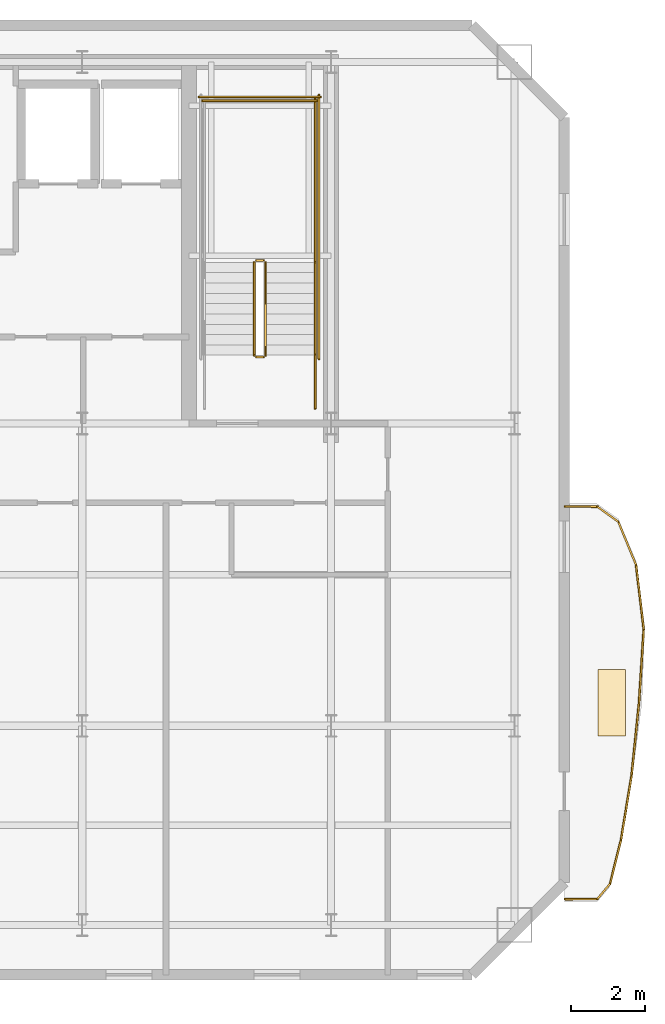
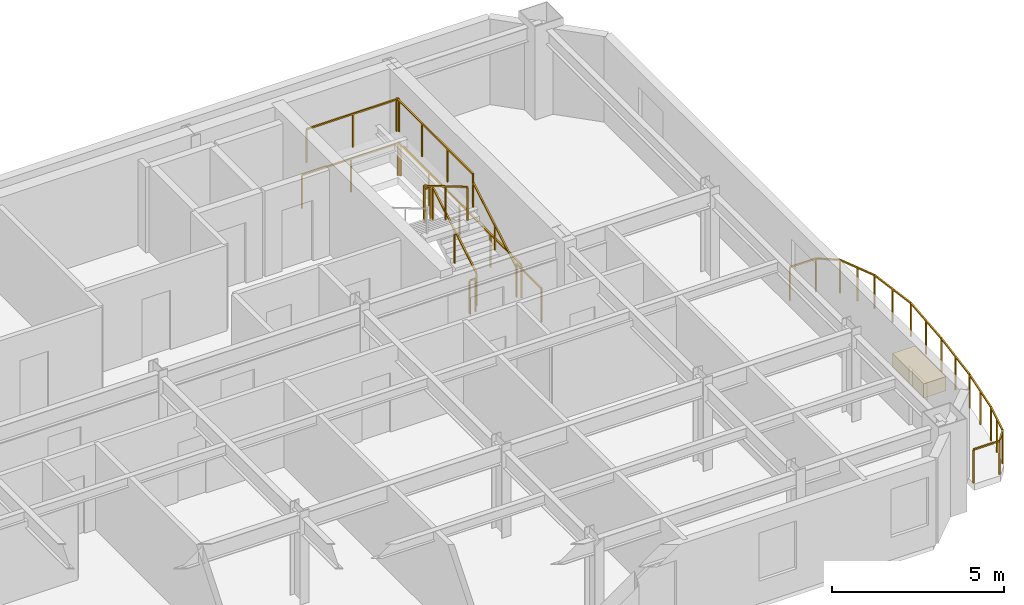
# One storey, part 6 of 6: 20 railings, 1 covering.
"""IFC4 building model written with IfcOpenShell, lengths in metres."""

from ifc_helpers import new_model, si_unit, direction, frame, origin, origin_2d, place, context, subcontext, project, spatial, rectangle, extrude, material, layer, layer_set, type_object, element, save


model = new_model("IFC4")

# Units and contexts
model_context = context("Model", 3, precision=1e-05, world=origin(), true_north=direction((0.0, 1.0)))
body_context = subcontext(model_context, "Body", "Model", "MODEL_VIEW")
ifc_project = project(units=[si_unit("LENGTHUNIT", "METRE"), si_unit("AREAUNIT", "SQUARE_METRE"), si_unit("VOLUMEUNIT", "CUBIC_METRE"), si_unit("PLANEANGLEUNIT", "RADIAN"), si_unit("MASSUNIT", "GRAM", prefix="KILO")], contexts=[model_context])

# Site, building, storey
site_placement = place(None, origin())
site = spatial("IfcSite", under=ifc_project, at=site_placement, CompositionType="ELEMENT")
building_placement = place(site_placement, origin())
building = spatial("IfcBuilding", under=site, at=building_placement, Name="Haevon Station Towers", CompositionType="ELEMENT")
storey_placement = place(building_placement, frame((0.0, 0.0, 246.0)))
storey = spatial("IfcBuildingStorey", under=building, at=storey_placement, Name="L68", CompositionType="ELEMENT", Elevation=246.0)

# Railings
ifc_material_1 = material(Name="Steel S355", Category="steel")
railing_type_1 = type_object("IfcRailingType", Name="GRD-EXT1200", PredefinedType="GUARDRAIL", material=ifc_material_1)
railing_1_placement = place(storey_placement, frame((57.348388671875, 25.302734375, 0.0)))
element("IfcRailing", 1, at=railing_1_placement, inside=storey, type_object=railing_type_1, Name="L68 Perimeter Guardrail 1", PredefinedType="GUARDRAIL", context=body_context, shape_type="SweptSolid", body=[
    extrude(rectangle(XDim=0.048095703125, YDim=0.048095703125, at=origin_2d()), frame((0.0, 0.0, 1.17578125), z_axis=(0.999997476494, 0.002246554286, 0.0), x_axis=(-0.002246554286, 0.999997476494, 0.0)), (0.0, 0.0, 1.0), 0.869384765625),
    extrude(rectangle(XDim=0.0419921875, YDim=0.0419921875, at=origin_2d()), origin(), (0.0, 0.0, 1.0), 1.15185546875),
    extrude(rectangle(XDim=0.0419921875, YDim=0.0419921875, at=origin_2d()), frame((0.869384765625, 0.001953125, 0.0)), (0.0, 0.0, 1.0), 1.15185546875),
])
railing_2_placement = place(storey_placement, frame((58.2177734375, 25.3046875, 0.0)))
element("IfcRailing", 2, at=railing_2_placement, inside=storey, type_object=railing_type_1, Name="L68 Perimeter Guardrail 2", PredefinedType="GUARDRAIL", context=body_context, shape_type="SweptSolid", body=[
    extrude(rectangle(XDim=0.048095703125, YDim=0.048095703125, at=origin_2d()), frame((0.0, 0.0, 1.17578125), z_axis=(0.643618076679, 0.765346830772, 0.0), x_axis=(-0.765346830772, 0.643618076679, 0.0)), (0.0, 0.0, 1.0), 0.53759765625),
    extrude(rectangle(XDim=0.0419921875, YDim=0.0419921875, at=origin_2d()), origin(), (0.0, 0.0, 1.0), 1.15185546875),
    extrude(rectangle(XDim=0.0419921875, YDim=0.0419921875, at=origin_2d()), frame((0.345947265625, 0.411376953125, 0.0)), (0.0, 0.0, 1.0), 1.15185546875),
])
railing_3_placement = place(storey_placement, frame((58.563720703125, 25.716064453125, 0.0)))
element("IfcRailing", 3, at=railing_3_placement, inside=storey, type_object=railing_type_1, Name="L68 Perimeter Guardrail 3", PredefinedType="GUARDRAIL", context=body_context, shape_type="SweptSolid", body=[
    extrude(rectangle(XDim=0.048095703125, YDim=0.048095703125, at=origin_2d()), frame((0.0, 0.0, 1.17578125), z_axis=(0.243202070488, 0.969975645524, 0.0), x_axis=(-0.969975645524, 0.243202070488, 0.0)), (0.0, 0.0, 1.0), 1.20654296875),
    extrude(rectangle(XDim=0.0419921875, YDim=0.0419921875, at=origin_2d()), origin(), (0.0, 0.0, 1.0), 1.15185546875),
    extrude(rectangle(XDim=0.0419921875, YDim=0.0419921875, at=origin_2d()), frame((0.146728515625, 0.585205078125, 0.0)), (0.0, 0.0, 1.0), 1.15185546875),
    extrude(rectangle(XDim=0.0419921875, YDim=0.0419921875, at=origin_2d()), frame((0.29345703125, 1.17041015625, 0.0)), (0.0, 0.0, 1.0), 1.15185546875),
])
railing_4_placement = place(storey_placement, frame((58.857177734375, 26.886474609375, 0.0)))
element("IfcRailing", 4, at=railing_4_placement, inside=storey, type_object=railing_type_1, Name="L68 Perimeter Guardrail 4", PredefinedType="GUARDRAIL", context=body_context, shape_type="SweptSolid", body=[
    extrude(rectangle(XDim=0.048095703125, YDim=0.048095703125, at=origin_2d()), frame((0.0, 0.0, 1.17578125), z_axis=(0.162366406363, 0.986730535701, 0.0), x_axis=(-0.986730535701, 0.162366406363, 0.0)), (0.0, 0.0, 1.0), 1.772705078125),
    extrude(rectangle(XDim=0.0419921875, YDim=0.0419921875, at=origin_2d()), origin(), (0.0, 0.0, 1.0), 1.15185546875),
    extrude(rectangle(XDim=0.0419921875, YDim=0.0419921875, at=origin_2d()), frame((0.14404296875, 0.87451171875, 0.0)), (0.0, 0.0, 1.0), 1.15185546875),
    extrude(rectangle(XDim=0.0419921875, YDim=0.0419921875, at=origin_2d()), frame((0.287841796875, 1.749267578125, 0.0)), (0.0, 0.0, 1.0), 1.15185546875),
])
railing_5_placement = place(storey_placement, frame((59.14501953125, 28.6357421875, 0.0)))
element("IfcRailing", 5, at=railing_5_placement, inside=storey, type_object=railing_type_1, Name="L68 Perimeter Guardrail 5", PredefinedType="GUARDRAIL", context=body_context, shape_type="SweptSolid", body=[
    extrude(rectangle(XDim=0.048095703125, YDim=0.048095703125, at=origin_2d()), frame((0.0, 0.0, 1.17578125), z_axis=(0.102549270738, 0.994727926154, 0.0), x_axis=(-0.994727926154, 0.102549270738, 0.0)), (0.0, 0.0, 1.0), 1.999755859375),
    extrude(rectangle(XDim=0.0419921875, YDim=0.0419921875, at=origin_2d()), origin(), (0.0, 0.0, 1.0), 1.15185546875),
    extrude(rectangle(XDim=0.0419921875, YDim=0.0419921875, at=origin_2d()), frame((0.1025390625, 0.99462890625, 0.0)), (0.0, 0.0, 1.0), 1.15185546875),
    extrude(rectangle(XDim=0.0419921875, YDim=0.0419921875, at=origin_2d()), frame((0.205078125, 1.9892578125, 0.0)), (0.0, 0.0, 1.0), 1.15185546875),
])
railing_6_placement = place(storey_placement, frame((59.35009765625, 30.625, 0.0)))
element("IfcRailing", 6, at=railing_6_placement, inside=storey, type_object=railing_type_1, Name="L68 Perimeter Guardrail 6", PredefinedType="GUARDRAIL", context=body_context, shape_type="SweptSolid", body=[
    extrude(rectangle(XDim=0.048095703125, YDim=0.048095703125, at=origin_2d()), frame((0.0, 0.0, 1.17578125), z_axis=(0.063443708023, 0.997985418687, 0.0), x_axis=(-0.997985418687, 0.063443708023, 0.0)), (0.0, 0.0, 1.0), 1.9970703125),
    extrude(rectangle(XDim=0.0419921875, YDim=0.0419921875, at=origin_2d()), origin(), (0.0, 0.0, 1.0), 1.15185546875),
    extrude(rectangle(XDim=0.0419921875, YDim=0.0419921875, at=origin_2d()), frame((0.0634765625, 0.99658203125, 0.0)), (0.0, 0.0, 1.0), 1.15185546875),
    extrude(rectangle(XDim=0.0419921875, YDim=0.0419921875, at=origin_2d()), frame((0.126708984375, 1.9931640625, 0.0)), (0.0, 0.0, 1.0), 1.15185546875),
])
railing_7_placement = place(storey_placement, frame((59.476806640625, 32.6181640625, 0.0)))
element("IfcRailing", 7, at=railing_7_placement, inside=storey, type_object=railing_type_1, Name="L68 Perimeter Guardrail 7", PredefinedType="GUARDRAIL", context=body_context, shape_type="SweptSolid", body=[
    extrude(rectangle(XDim=0.048095703125, YDim=0.048095703125, at=origin_2d()), frame((0.0, 0.0, 1.17578125), z_axis=(-0.117590336191, 0.993062189812, 0.0), x_axis=(-0.993062189812, -0.117590336191, 0.0)), (0.0, 0.0, 1.0), 1.758544921875),
    extrude(rectangle(XDim=0.0419921875, YDim=0.0419921875, at=origin_2d()), origin(), (0.0, 0.0, 1.0), 1.15185546875),
    extrude(rectangle(XDim=0.0419921875, YDim=0.0419921875, at=origin_2d()), frame((-0.103515625, 0.873046875, 0.0)), (0.0, 0.0, 1.0), 1.15185546875),
    extrude(rectangle(XDim=0.0419921875, YDim=0.0419921875, at=origin_2d()), frame((-0.206787109375, 1.746337890625, 0.0)), (0.0, 0.0, 1.0), 1.15185546875),
])
railing_8_placement = place(storey_placement, frame((59.27001953125, 34.364501953125, 0.0)))
element("IfcRailing", 8, at=railing_8_placement, inside=storey, type_object=railing_type_1, Name="L68 Perimeter Guardrail 8", PredefinedType="GUARDRAIL", context=body_context, shape_type="SweptSolid", body=[
    extrude(rectangle(XDim=0.048095703125, YDim=0.048095703125, at=origin_2d()), frame((0.0, 0.0, 1.17578125), z_axis=(-0.379535160999, 0.925177313581, 0.0), x_axis=(-0.925177313581, -0.379535160999, 0.0)), (0.0, 0.0, 1.0), 1.263916015625),
    extrude(rectangle(XDim=0.0419921875, YDim=0.0419921875, at=origin_2d()), origin(), (0.0, 0.0, 1.0), 1.15185546875),
    extrude(rectangle(XDim=0.0419921875, YDim=0.0419921875, at=origin_2d()), frame((-0.23974609375, 0.584716796875, 0.0)), (0.0, 0.0, 1.0), 1.15185546875),
    extrude(rectangle(XDim=0.0419921875, YDim=0.0419921875, at=origin_2d()), frame((-0.479736328125, 1.16943359375, 0.0)), (0.0, 0.0, 1.0), 1.15185546875),
])
railing_9_placement = place(storey_placement, frame((58.790283203125, 35.533935546875, 0.0)))
element("IfcRailing", 9, at=railing_9_placement, inside=storey, type_object=railing_type_1, Name="L68 Perimeter Guardrail 9", PredefinedType="GUARDRAIL", context=body_context, shape_type="SweptSolid", body=[
    extrude(rectangle(XDim=0.048095703125, YDim=0.048095703125, at=origin_2d()), frame((0.0, 0.0, 1.17578125), z_axis=(-0.812092296848, 0.583529006477, 0.0), x_axis=(-0.583529006477, -0.812092296848, 0.0)), (0.0, 0.0, 1.0), 0.705078125),
    extrude(rectangle(XDim=0.0419921875, YDim=0.0419921875, at=origin_2d()), origin(), (0.0, 0.0, 1.0), 1.15185546875),
    extrude(rectangle(XDim=0.0419921875, YDim=0.0419921875, at=origin_2d()), frame((-0.572509765625, 0.411376953125, 0.0)), (0.0, 0.0, 1.0), 1.15185546875),
])
railing_10_placement = place(storey_placement, frame((58.2177734375, 35.9453125, 0.0)))
element("IfcRailing", 10, at=railing_10_placement, inside=storey, type_object=railing_type_1, Name="L68 Perimeter Guardrail 10", PredefinedType="GUARDRAIL", context=body_context, shape_type="SweptSolid", body=[
    extrude(rectangle(XDim=0.048095703125, YDim=0.048095703125, at=origin_2d()), frame((0.0, 0.0, 1.17578125), z_axis=(-0.999997476494, 0.002246554286, 0.0), x_axis=(-0.002246554286, -0.999997476494, 0.0)), (0.0, 0.0, 1.0), 0.869384765625),
    extrude(rectangle(XDim=0.0419921875, YDim=0.0419921875, at=origin_2d()), origin(), (0.0, 0.0, 1.0), 1.15185546875),
    extrude(rectangle(XDim=0.0419921875, YDim=0.0419921875, at=origin_2d()), frame((-0.869384765625, 0.001953125, 0.0)), (0.0, 0.0, 1.0), 1.15185546875),
])
railing_type_2 = type_object("IfcRailingType", Name="GRD-STR1200", PredefinedType="GUARDRAIL", material=ifc_material_1)
railing_11_placement = place(storey_placement, frame((49.219970703125, 40.050048828125, 0.1650390625)))
element("IfcRailing", 11, at=railing_11_placement, inside=storey, type_object=railing_type_2, Name="L68 ST2 Stair Guard 1", PredefinedType="GUARDRAIL", context=body_context, shape_type="SweptSolid", body=[
    extrude(rectangle(XDim=0.048095703125, YDim=0.048095703125, at=origin_2d()), frame((0.0, 0.0, 1.17578125), z_axis=(0.0, 0.861560626758, 0.507654692109), x_axis=(-1.0, 0.0, 0.0)), (0.0, 0.0, 1.0), 2.925048828125),
    extrude(rectangle(XDim=0.0419921875, YDim=0.0419921875, at=origin_2d()), origin(), (0.0, 0.0, 1.0), 1.15185546875),
    extrude(rectangle(XDim=0.0419921875, YDim=0.0419921875, at=origin_2d()), frame((0.0, 1.260009765625, 0.742431640625)), (0.0, 0.0, 1.0), 1.15185546875),
    extrude(rectangle(XDim=0.0419921875, YDim=0.0419921875, at=origin_2d()), frame((0.0, 2.52001953125, 1.48486328125)), (0.0, 0.0, 1.0), 1.15185546875),
])
railing_12_placement = place(storey_placement, frame((49.169921875, 42.6201171875, 1.64990234375)))
element("IfcRailing", 12, at=railing_12_placement, inside=storey, type_object=railing_type_2, Name="L68 ST2 Stair Guard 2", PredefinedType="GUARDRAIL", context=body_context, shape_type="SweptSolid", body=[
    extrude(rectangle(XDim=0.048095703125, YDim=0.048095703125, at=origin_2d()), frame((0.0, 0.0, 1.17578125), z_axis=(-1.0, 0.0, 0.0), x_axis=(0.0, -1.0, 0.0)), (0.0, 0.0, 1.0), 0.199951171875),
    extrude(rectangle(XDim=0.0419921875, YDim=0.0419921875, at=origin_2d()), origin(), (0.0, 0.0, 1.0), 1.15185546875),
    extrude(rectangle(XDim=0.0419921875, YDim=0.0419921875, at=origin_2d()), frame((-0.199951171875, 0.0, 0.0)), (0.0, 0.0, 1.0), 1.15185546875),
])
railing_13_placement = place(storey_placement, frame((50.570068359375, 42.570068359375, 1.64990234375)))
element("IfcRailing", 13, at=railing_13_placement, inside=storey, type_object=railing_type_2, Name="L68 ST2 Stair Guard 3", PredefinedType="GUARDRAIL", context=body_context, shape_type="SweptSolid", body=[
    extrude(rectangle(XDim=0.048095703125, YDim=0.048095703125, at=origin_2d()), frame((0.0, 0.0, 1.17578125), z_axis=(0.0, 1.0, 0.0), x_axis=(-1.0, 0.0, 0.0)), (0.0, 0.0, 1.0), 4.429931640625),
    extrude(rectangle(XDim=0.0419921875, YDim=0.0419921875, at=origin_2d()), origin(), (0.0, 0.0, 1.0), 1.15185546875),
    extrude(rectangle(XDim=0.0419921875, YDim=0.0419921875, at=origin_2d()), frame((0.0, 1.4765625, 0.0)), (0.0, 0.0, 1.0), 1.15185546875),
    extrude(rectangle(XDim=0.0419921875, YDim=0.0419921875, at=origin_2d()), frame((0.0, 2.953369140625, 0.0)), (0.0, 0.0, 1.0), 1.15185546875),
    extrude(rectangle(XDim=0.0419921875, YDim=0.0419921875, at=origin_2d()), frame((0.0, 4.429931640625, 0.0)), (0.0, 0.0, 1.0), 1.15185546875),
])
railing_14_placement = place(storey_placement, frame((50.6201171875, 46.949951171875, 1.64990234375)))
element("IfcRailing", 14, at=railing_14_placement, inside=storey, type_object=railing_type_2, Name="L68 ST2 Stair Guard 5", PredefinedType="GUARDRAIL", context=body_context, shape_type="SweptSolid", body=[
    extrude(rectangle(XDim=0.048095703125, YDim=0.048095703125, at=origin_2d()), frame((0.0, 0.0, 1.17578125), z_axis=(-1.0, 0.0, 0.0), x_axis=(0.0, -1.0, 0.0)), (0.0, 0.0, 1.0), 3.10009765625),
    extrude(rectangle(XDim=0.0419921875, YDim=0.0419921875, at=origin_2d()), origin(), (0.0, 0.0, 1.0), 1.15185546875),
    extrude(rectangle(XDim=0.0419921875, YDim=0.0419921875, at=origin_2d()), frame((-1.550048828125, 0.0, 0.0)), (0.0, 0.0, 1.0), 1.15185546875),
    extrude(rectangle(XDim=0.0419921875, YDim=0.0419921875, at=origin_2d()), frame((-3.10009765625, 0.0, 0.0)), (0.0, 0.0, 1.0), 1.15185546875),
])
railing_15_placement = place(storey_placement, frame((48.919921875, 42.570068359375, 1.81494140625)))
element("IfcRailing", 15, at=railing_15_placement, inside=storey, type_object=railing_type_2, Name="L68 ST2 Stair Guard 6", PredefinedType="GUARDRAIL", context=body_context, shape_type="SweptSolid", body=[
    extrude(rectangle(XDim=0.048095703125, YDim=0.048095703125, at=origin_2d()), frame((0.0, 0.0, 1.17578125), z_axis=(0.0, -0.86152411907, 0.507716645641), x_axis=(1.0, 0.0, 0.0)), (0.0, 0.0, 1.0), 2.925048828125),
    extrude(rectangle(XDim=0.0419921875, YDim=0.0419921875, at=origin_2d()), origin(), (0.0, 0.0, 1.0), 1.15185546875),
    extrude(rectangle(XDim=0.0419921875, YDim=0.0419921875, at=origin_2d()), frame((0.0, -1.260009765625, 0.74267578125)), (0.0, 0.0, 1.0), 1.15185546875),
    extrude(rectangle(XDim=0.0419921875, YDim=0.0419921875, at=origin_2d()), frame((0.0, -2.52001953125, 1.485107421875)), (0.0, 0.0, 1.0), 1.15185546875),
])
railing_16_placement = place(storey_placement, frame((49.169921875, 40.0, 0.0)))
element("IfcRailing", 16, at=railing_16_placement, inside=storey, type_object=railing_type_2, Name="L68 ST2 Stair Guard 7", PredefinedType="GUARDRAIL", context=body_context, shape_type="SweptSolid", body=[
    extrude(rectangle(XDim=0.048095703125, YDim=0.048095703125, at=origin_2d()), frame((0.0, 0.0, 1.17578125), z_axis=(-1.0, 0.0, 0.0), x_axis=(0.0, -1.0, 0.0)), (0.0, 0.0, 1.0), 0.199951171875),
    extrude(rectangle(XDim=0.0419921875, YDim=0.0419921875, at=origin_2d()), origin(), (0.0, 0.0, 1.0), 1.15185546875),
    extrude(rectangle(XDim=0.0419921875, YDim=0.0419921875, at=origin_2d()), frame((-0.199951171875, 0.0, 0.0)), (0.0, 0.0, 1.0), 1.15185546875),
])
railing_17_placement = place(storey_placement, frame((50.570068359375, 38.60009765625, 0.0)))
element("IfcRailing", 17, at=railing_17_placement, inside=storey, type_object=railing_type_2, Name="L68 ST2 Stair Guard 8", PredefinedType="GUARDRAIL", context=body_context, shape_type="SweptSolid", body=[
    extrude(rectangle(XDim=0.048095703125, YDim=0.048095703125, at=origin_2d()), frame((0.0, 0.0, 1.17578125), z_axis=(0.0, 1.0, 0.0), x_axis=(-1.0, 0.0, 0.0)), (0.0, 0.0, 1.0), 1.449951171875),
    extrude(rectangle(XDim=0.0419921875, YDim=0.0419921875, at=origin_2d()), origin(), (0.0, 0.0, 1.0), 1.15185546875),
    extrude(rectangle(XDim=0.0419921875, YDim=0.0419921875, at=origin_2d()), frame((0.0, 1.449951171875, 0.0)), (0.0, 0.0, 1.0), 1.15185546875),
])
railing_18_placement = place(storey_placement, frame((50.669921875, 39.949951171875, 0.0)))
element("IfcRailing", 18, at=railing_18_placement, inside=storey, type_object=railing_type_2, Name="L68 ST2 Stair Guard 10", PredefinedType="GUARDRAIL", context=body_context, shape_type="SweptSolid", body=[
    extrude(rectangle(XDim=0.048095703125, YDim=0.048095703125, at=origin_2d()), frame((0.0, 0.0, 1.17578125), z_axis=(0.0, 1.0, 0.0), x_axis=(-1.0, 0.0, 0.0)), (0.0, 0.0, 1.0), 7.150146484375),
    extrude(rectangle(XDim=0.0419921875, YDim=0.0419921875, at=origin_2d()), origin(), (0.0, 0.0, 1.0), 1.15185546875),
    extrude(rectangle(XDim=0.0419921875, YDim=0.0419921875, at=origin_2d()), frame((0.0, 1.78759765625, 0.0)), (0.0, 0.0, 1.0), 1.15185546875),
    extrude(rectangle(XDim=0.0419921875, YDim=0.0419921875, at=origin_2d()), frame((0.0, 3.5751953125, 0.0)), (0.0, 0.0, 1.0), 1.15185546875),
    extrude(rectangle(XDim=0.0419921875, YDim=0.0419921875, at=origin_2d()), frame((0.0, 5.362548828125, 0.0)), (0.0, 0.0, 1.0), 1.15185546875),
    extrude(rectangle(XDim=0.0419921875, YDim=0.0419921875, at=origin_2d()), frame((0.0, 7.150146484375, 0.0)), (0.0, 0.0, 1.0), 1.15185546875),
])
railing_19_placement = place(storey_placement, frame((50.719970703125, 47.050048828125, 0.0)))
element("IfcRailing", 19, at=railing_19_placement, inside=storey, type_object=railing_type_2, Name="L68 ST2 Stair Guard 12", PredefinedType="GUARDRAIL", context=body_context, shape_type="SweptSolid", body=[
    extrude(rectangle(XDim=0.048095703125, YDim=0.048095703125, at=origin_2d()), frame((0.0, 0.0, 1.17578125), z_axis=(-1.0, 0.0, 0.0), x_axis=(0.0, -1.0, 0.0)), (0.0, 0.0, 1.0), 3.300048828125),
    extrude(rectangle(XDim=0.0419921875, YDim=0.0419921875, at=origin_2d()), origin(), (0.0, 0.0, 1.0), 1.15185546875),
    extrude(rectangle(XDim=0.0419921875, YDim=0.0419921875, at=origin_2d()), frame((-1.64990234375, 0.0, 0.0)), (0.0, 0.0, 1.0), 1.15185546875),
    extrude(rectangle(XDim=0.0419921875, YDim=0.0419921875, at=origin_2d()), frame((-3.300048828125, 0.0, 0.0)), (0.0, 0.0, 1.0), 1.15185546875),
])
railing_type_3 = type_object("IfcRailingType", Name="HND-STR900", PredefinedType="HANDRAIL", material=ifc_material_1)
railing_20_placement = place(storey_placement, frame((50.570068359375, 40.050048828125, 0.1650390625)))
element("IfcRailing", 20, at=railing_20_placement, inside=storey, type_object=railing_type_3, Name="L68 ST2 Stair Handrail 1", PredefinedType="HANDRAIL", context=body_context, shape_type="SweptSolid", body=[
    extrude(rectangle(XDim=0.048095703125, YDim=0.048095703125, at=origin_2d()), frame((0.0, 0.0, 0.8759765625), z_axis=(0.0, 0.861560626758, 0.507654692109), x_axis=(-1.0, 0.0, 0.0)), (0.0, 0.0, 1.0), 2.925048828125),
    extrude(rectangle(XDim=0.0419921875, YDim=0.0419921875, at=origin_2d()), origin(), (0.0, 0.0, 1.0), 0.851806640625),
    extrude(rectangle(XDim=0.0419921875, YDim=0.0419921875, at=origin_2d()), frame((0.0, 1.260009765625, 0.742431640625)), (0.0, 0.0, 1.0), 0.851806640625),
    extrude(rectangle(XDim=0.0419921875, YDim=0.0419921875, at=origin_2d()), frame((0.0, 2.52001953125, 1.48486328125)), (0.0, 0.0, 1.0), 0.851806640625),
])

# Covering
ifc_material_2 = material(Name="Architectural planter GRC", Category="concrete")
ifc_layer = layer(ifc_material_2, 0.550048828125)
ifc_layer_set = layer_set([ifc_layer], Name="Architectural planter GRC")
covering_type = type_object("IfcCoveringType", Name="PLN-GRC550", PredefinedType="MOLDING", material=ifc_layer_set)
covering_placement = place(storey_placement, frame((58.6083984375, 30.625, 0.0), z_axis=(0.0, 0.0, 1.0), x_axis=(1.0, 0.0, 0.0)))
element("IfcCovering", 21, at=covering_placement, inside=storey, type_object=covering_type, Name="Tower 1 L68 Scalloped Balcony PLANTER", PredefinedType="MOLDING", context=body_context, shape_type="SweptSolid", body=[
    extrude(rectangle(XDim=0.75, YDim=1.800048828125, at=origin_2d()), origin(), (0.0, 0.0, 1.0), 0.5),
])

save(model, "model.ifc")
